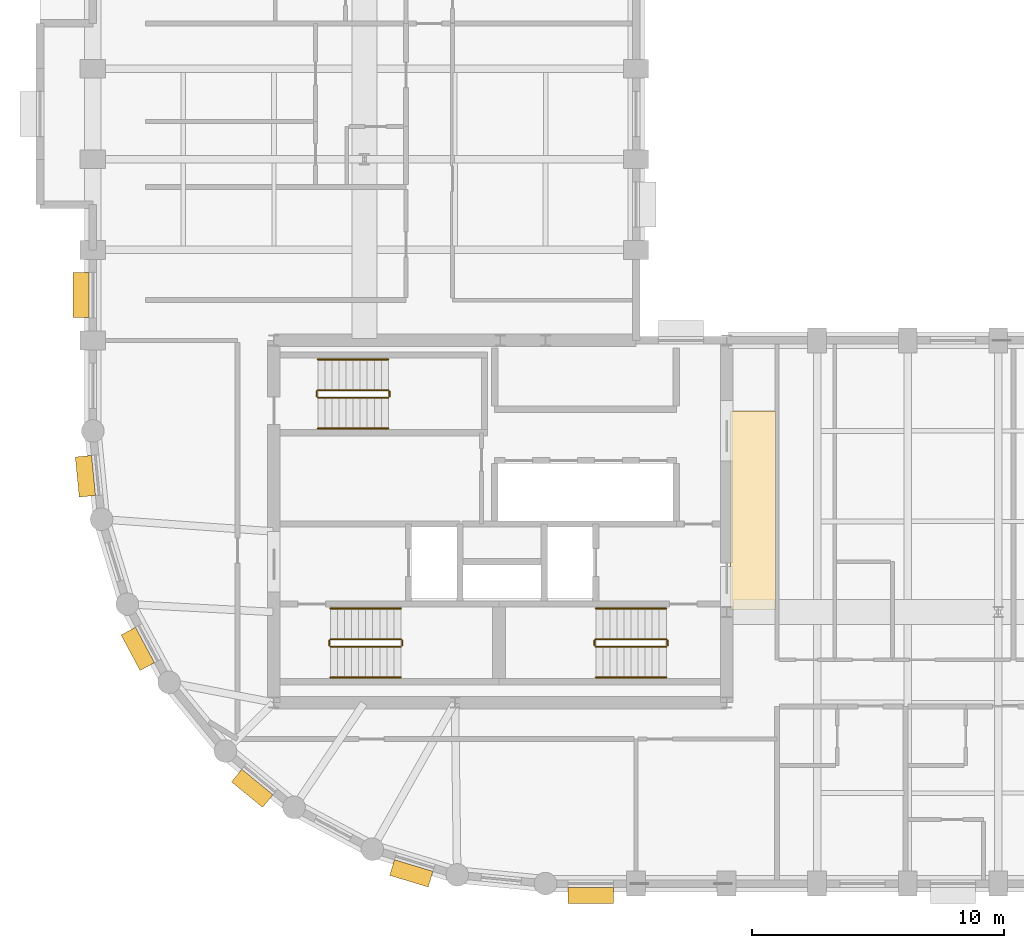
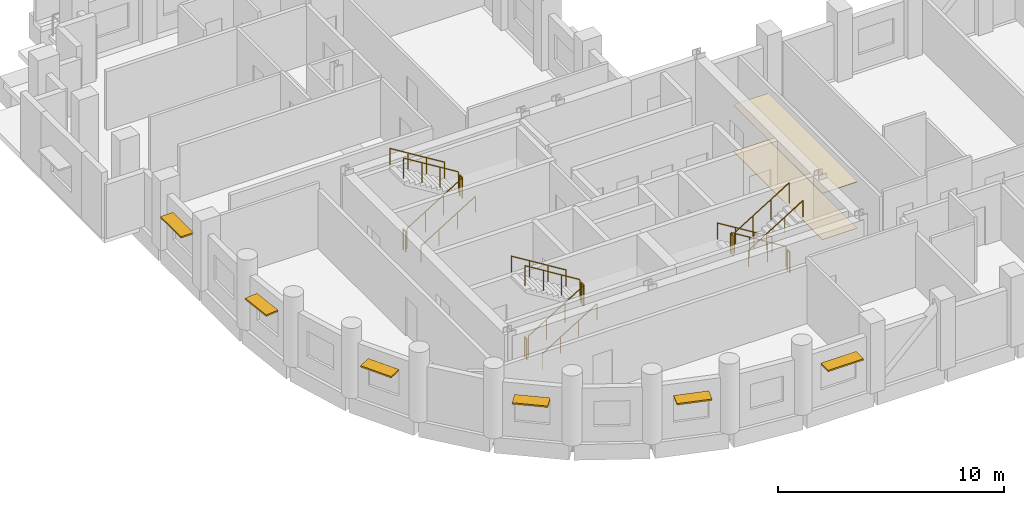
# One storey, part 9 of 10: 18 railings, 6 shading devices, 2 coverings.
"""IFC4 building model written with IfcOpenShell, lengths in metres."""

from ifc_helpers import new_model, si_unit, direction, frame, origin, origin_2d, place, context, subcontext, project, spatial, polyline, rectangle, circle, outline, extrude, material, layer, layer_set, type_object, element, save


model = new_model("IFC4")

# Units and contexts
model_context = context("Model", 3, precision=1e-05, world=origin(), true_north=direction((0.0, 1.0)))
body_context = subcontext(model_context, "Body", "Model", "MODEL_VIEW")
ifc_project = project(units=[si_unit("LENGTHUNIT", "METRE"), si_unit("AREAUNIT", "SQUARE_METRE"), si_unit("VOLUMEUNIT", "CUBIC_METRE"), si_unit("PLANEANGLEUNIT", "RADIAN"), si_unit("MASSUNIT", "GRAM", prefix="KILO")], contexts=[model_context])

# Site, building, storey
site_placement = place(None, origin())
site = spatial("IfcSite", under=ifc_project, at=site_placement, CompositionType="ELEMENT")
building_placement = place(site_placement, origin())
building = spatial("IfcBuilding", under=site, at=building_placement, Name="Solnavia Interchange Tower", CompositionType="ELEMENT")
storey_placement = place(building_placement, frame((0.0, 0.0, 127.60009765625)))
storey = spatial("IfcBuildingStorey", under=building, at=storey_placement, Name="L31", CompositionType="ELEMENT", Elevation=127.60009765625)

# Coverings
ifc_material_1 = material(Name="Perforated Mineral-Fibre & Gypsum Ceiling", Category="gypsum")
ifc_layer_1 = layer(ifc_material_1, 0.0400390625)
ifc_layer_set_1 = layer_set([ifc_layer_1], Name="Perforated Mineral-Fibre & Gypsum Ceiling")
covering_type_1 = type_object("IfcCoveringType", Name="Covering-Ceiling-Acoustic40", PredefinedType="CEILING", material=ifc_layer_set_1)
covering_1_placement = place(storey_placement, frame((0.0, 0.0, 2.5)))
element("IfcCovering", 1, at=covering_1_placement, inside=storey, type_object=covering_type_1, Name="CLG-L31-01 Circulation suspended acoustic ceiling", PredefinedType="CEILING", context=body_context, shape_type="SweptSolid", body=[
    extrude(outline(polyline([(32.550048828125, 14.5), (34.35009765625, 14.5), (34.35009765625, 22.39990234375), (32.550048828125, 22.39990234375), (32.550048828125, 14.5)])), origin(), (0.0, 0.0, 1.0), 0.039794921875),
])
ifc_material_2 = material(Name="Engineered European Oak Flooring", Category="wood")
ifc_layer_2 = layer(ifc_material_2, 0.02001953125)
ifc_layer_set_2 = layer_set([ifc_layer_2], Name="Engineered European Oak Flooring")
covering_type_2 = type_object("IfcCoveringType", Name="Covering-Flooring-Timber20", PredefinedType="FLOORING", material=ifc_layer_set_2)
covering_2_placement = place(storey_placement, origin())
element("IfcCovering", 2, at=covering_2_placement, inside=storey, type_object=covering_type_2, Name="FLR-L31-01 Circulation floor finish", PredefinedType="FLOORING", context=body_context, shape_type="SweptSolid", body=[
    extrude(outline(polyline([(32.550048828125, 14.5), (34.35009765625, 14.5), (34.35009765625, 22.39990234375), (32.550048828125, 22.39990234375), (32.550048828125, 14.5)])), origin(), (0.0, 0.0, 1.0), 0.02001953125),
])

# Railings
ifc_material_3 = material(Name="Painted Steel Balustrade", Category="steel")
railing_type_1 = type_object("IfcRailingType", Name="Railing-StairGuard-1100", PredefinedType="GUARDRAIL", material=ifc_material_3)
railing_1_placement = place(storey_placement, frame((16.64990234375, 13.02001953125, 0.172607421875)))
element("IfcRailing", 3, at=railing_1_placement, inside=storey, type_object=railing_type_1, Name="L31 ST-1 stair guard 1", PredefinedType="GUARDRAIL", context=body_context, shape_type="SweptSolid", body=[
    extrude(circle(Radius=0.02392578125, at=origin_2d()), frame((0.0, 0.0, 1.09619140625), z_axis=(0.851089632645, 0.0, 0.525020415988), x_axis=(0.0, 1.0, 0.0)), (0.0, 0.0, 1.0), 3.2900390625),
    extrude(circle(Radius=0.02099609375, at=origin_2d()), origin(), (0.0, 0.0, 1.0), 1.072021484375),
    extrude(circle(Radius=0.02099609375, at=origin_2d()), frame((0.933349609375, 0.0, 0.57568359375)), (0.0, 0.0, 1.0), 1.072021484375),
    extrude(circle(Radius=0.02099609375, at=origin_2d()), frame((1.86669921875, 0.0, 1.151611328125)), (0.0, 0.0, 1.0), 1.072021484375),
    extrude(circle(Radius=0.02099609375, at=origin_2d()), frame((2.800048828125, 0.0, 1.727294921875)), (0.0, 0.0, 1.0), 1.072021484375),
])
railing_2_placement = place(storey_placement, frame((19.5, 13.070068359375, 1.89990234375)))
element("IfcRailing", 4, at=railing_2_placement, inside=storey, type_object=railing_type_1, Name="L31 ST-1 stair guard 2", PredefinedType="GUARDRAIL", context=body_context, shape_type="SweptSolid", body=[
    extrude(circle(Radius=0.02392578125, at=origin_2d()), frame((0.0, 0.0, 1.09619140625), z_axis=(0.0, 1.0, 0.0), x_axis=(-1.0, 0.0, 0.0)), (0.0, 0.0, 1.0), 0.199951171875),
    extrude(circle(Radius=0.02099609375, at=origin_2d()), origin(), (0.0, 0.0, 1.0), 1.072021484375),
    extrude(circle(Radius=0.02099609375, at=origin_2d()), frame((0.0, 0.199951171875, 0.0)), (0.0, 0.0, 1.0), 1.072021484375),
])
railing_3_placement = place(storey_placement, frame((19.449951171875, 13.320068359375, 2.072509765625)))
element("IfcRailing", 5, at=railing_3_placement, inside=storey, type_object=railing_type_1, Name="L31 ST-1 stair guard 3", PredefinedType="GUARDRAIL", context=body_context, shape_type="SweptSolid", body=[
    extrude(circle(Radius=0.02392578125, at=origin_2d()), frame((0.0, 0.0, 1.09619140625), z_axis=(-0.851089632645, 0.0, 0.525020415988), x_axis=(0.0, -1.0, 0.0)), (0.0, 0.0, 1.0), 3.2900390625),
    extrude(circle(Radius=0.02099609375, at=origin_2d()), origin(), (0.0, 0.0, 1.0), 1.072021484375),
    extrude(circle(Radius=0.02099609375, at=origin_2d()), frame((-0.933349609375, 0.0, 0.57568359375)), (0.0, 0.0, 1.0), 1.072021484375),
    extrude(circle(Radius=0.02099609375, at=origin_2d()), frame((-1.86669921875, 0.0, 1.151611328125)), (0.0, 0.0, 1.0), 1.072021484375),
    extrude(circle(Radius=0.02099609375, at=origin_2d()), frame((-2.800048828125, 0.0, 1.727294921875)), (0.0, 0.0, 1.0), 1.072021484375),
])
railing_4_placement = place(storey_placement, frame((16.60009765625, 13.070068359375, 0.0)))
element("IfcRailing", 6, at=railing_4_placement, inside=storey, type_object=railing_type_1, Name="L31 ST-1 stair guard 4", PredefinedType="GUARDRAIL", context=body_context, shape_type="SweptSolid", body=[
    extrude(circle(Radius=0.02392578125, at=origin_2d()), frame((0.0, 0.0, 1.09619140625), z_axis=(0.0, 1.0, 0.0), x_axis=(-1.0, 0.0, 0.0)), (0.0, 0.0, 1.0), 0.199951171875),
    extrude(circle(Radius=0.02099609375, at=origin_2d()), origin(), (0.0, 0.0, 1.0), 1.072021484375),
    extrude(circle(Radius=0.02099609375, at=origin_2d()), frame((0.0, 0.199951171875, 0.0)), (0.0, 0.0, 1.0), 1.072021484375),
])
railing_5_placement = place(storey_placement, frame((30.0, 13.320068359375, 0.172607421875)))
element("IfcRailing", 7, at=railing_5_placement, inside=storey, type_object=railing_type_1, Name="L31 ST-2 stair guard 1", PredefinedType="GUARDRAIL", context=body_context, shape_type="SweptSolid", body=[
    extrude(circle(Radius=0.02392578125, at=origin_2d()), frame((0.0, 0.0, 1.09619140625), z_axis=(-0.851089632645, 0.0, 0.525020415988), x_axis=(0.0, -1.0, 0.0)), (0.0, 0.0, 1.0), 3.2900390625),
    extrude(circle(Radius=0.02099609375, at=origin_2d()), origin(), (0.0, 0.0, 1.0), 1.072021484375),
    extrude(circle(Radius=0.02099609375, at=origin_2d()), frame((-0.933349609375, 0.0, 0.57568359375)), (0.0, 0.0, 1.0), 1.072021484375),
    extrude(circle(Radius=0.02099609375, at=origin_2d()), frame((-1.86669921875, 0.0, 1.151611328125)), (0.0, 0.0, 1.0), 1.072021484375),
    extrude(circle(Radius=0.02099609375, at=origin_2d()), frame((-2.800048828125, 0.0, 1.727294921875)), (0.0, 0.0, 1.0), 1.072021484375),
])
railing_6_placement = place(storey_placement, frame((27.14990234375, 13.27001953125, 1.89990234375)))
element("IfcRailing", 8, at=railing_6_placement, inside=storey, type_object=railing_type_1, Name="L31 ST-2 stair guard 2", PredefinedType="GUARDRAIL", context=body_context, shape_type="SweptSolid", body=[
    extrude(circle(Radius=0.02392578125, at=origin_2d()), frame((0.0, 0.0, 1.09619140625), z_axis=(0.0, -1.0, 0.0), x_axis=(1.0, 0.0, 0.0)), (0.0, 0.0, 1.0), 0.199951171875),
    extrude(circle(Radius=0.02099609375, at=origin_2d()), origin(), (0.0, 0.0, 1.0), 1.072021484375),
    extrude(circle(Radius=0.02099609375, at=origin_2d()), frame((0.0, -0.199951171875, 0.0)), (0.0, 0.0, 1.0), 1.072021484375),
])
railing_7_placement = place(storey_placement, frame((27.199951171875, 13.02001953125, 2.072509765625)))
element("IfcRailing", 9, at=railing_7_placement, inside=storey, type_object=railing_type_1, Name="L31 ST-2 stair guard 3", PredefinedType="GUARDRAIL", context=body_context, shape_type="SweptSolid", body=[
    extrude(circle(Radius=0.02392578125, at=origin_2d()), frame((0.0, 0.0, 1.09619140625), z_axis=(0.851089632645, 0.0, 0.525020415988), x_axis=(0.0, 1.0, 0.0)), (0.0, 0.0, 1.0), 3.2900390625),
    extrude(circle(Radius=0.02099609375, at=origin_2d()), origin(), (0.0, 0.0, 1.0), 1.072021484375),
    extrude(circle(Radius=0.02099609375, at=origin_2d()), frame((0.933349609375, 0.0, 0.57568359375)), (0.0, 0.0, 1.0), 1.072021484375),
    extrude(circle(Radius=0.02099609375, at=origin_2d()), frame((1.86669921875, 0.0, 1.151611328125)), (0.0, 0.0, 1.0), 1.072021484375),
    extrude(circle(Radius=0.02099609375, at=origin_2d()), frame((2.800048828125, 0.0, 1.727294921875)), (0.0, 0.0, 1.0), 1.072021484375),
])
railing_8_placement = place(storey_placement, frame((30.050048828125, 13.27001953125, 0.0)))
element("IfcRailing", 10, at=railing_8_placement, inside=storey, type_object=railing_type_1, Name="L31 ST-2 stair guard 4", PredefinedType="GUARDRAIL", context=body_context, shape_type="SweptSolid", body=[
    extrude(circle(Radius=0.02392578125, at=origin_2d()), frame((0.0, 0.0, 1.09619140625), z_axis=(0.0, -1.0, 0.0), x_axis=(1.0, 0.0, 0.0)), (0.0, 0.0, 1.0), 0.199951171875),
    extrude(circle(Radius=0.02099609375, at=origin_2d()), origin(), (0.0, 0.0, 1.0), 1.072021484375),
    extrude(circle(Radius=0.02099609375, at=origin_2d()), frame((0.0, -0.199951171875, 0.0)), (0.0, 0.0, 1.0), 1.072021484375),
])
railing_9_placement = place(storey_placement, frame((16.14990234375, 22.919921875, 0.172607421875)))
element("IfcRailing", 11, at=railing_9_placement, inside=storey, type_object=railing_type_1, Name="L31 ST-3 stair guard 1", PredefinedType="GUARDRAIL", context=body_context, shape_type="SweptSolid", body=[
    extrude(circle(Radius=0.02392578125, at=origin_2d()), frame((0.0, 0.0, 1.09619140625), z_axis=(0.851089632645, 0.0, 0.525020415988), x_axis=(0.0, 1.0, 0.0)), (0.0, 0.0, 1.0), 3.2900390625),
    extrude(circle(Radius=0.02099609375, at=origin_2d()), origin(), (0.0, 0.0, 1.0), 1.072021484375),
    extrude(circle(Radius=0.02099609375, at=origin_2d()), frame((0.933349609375, 0.0, 0.57568359375)), (0.0, 0.0, 1.0), 1.072021484375),
    extrude(circle(Radius=0.02099609375, at=origin_2d()), frame((1.86669921875, 0.0, 1.151611328125)), (0.0, 0.0, 1.0), 1.072021484375),
    extrude(circle(Radius=0.02099609375, at=origin_2d()), frame((2.800048828125, 0.0, 1.727294921875)), (0.0, 0.0, 1.0), 1.072021484375),
])
railing_10_placement = place(storey_placement, frame((19.0, 22.969970703125, 1.89990234375)))
element("IfcRailing", 12, at=railing_10_placement, inside=storey, type_object=railing_type_1, Name="L31 ST-3 stair guard 2", PredefinedType="GUARDRAIL", context=body_context, shape_type="SweptSolid", body=[
    extrude(circle(Radius=0.02392578125, at=origin_2d()), frame((0.0, 0.0, 1.09619140625), z_axis=(0.0, 1.0, 0.0), x_axis=(-1.0, 0.0, 0.0)), (0.0, 0.0, 1.0), 0.199951171875),
    extrude(circle(Radius=0.02099609375, at=origin_2d()), origin(), (0.0, 0.0, 1.0), 1.072021484375),
    extrude(circle(Radius=0.02099609375, at=origin_2d()), frame((0.0, 0.199951171875, 0.0)), (0.0, 0.0, 1.0), 1.072021484375),
])
railing_11_placement = place(storey_placement, frame((18.949951171875, 23.219970703125, 2.072509765625)))
element("IfcRailing", 13, at=railing_11_placement, inside=storey, type_object=railing_type_1, Name="L31 ST-3 stair guard 3", PredefinedType="GUARDRAIL", context=body_context, shape_type="SweptSolid", body=[
    extrude(circle(Radius=0.02392578125, at=origin_2d()), frame((0.0, 0.0, 1.09619140625), z_axis=(-0.851089632645, 0.0, 0.525020415988), x_axis=(0.0, -1.0, 0.0)), (0.0, 0.0, 1.0), 3.2900390625),
    extrude(circle(Radius=0.02099609375, at=origin_2d()), origin(), (0.0, 0.0, 1.0), 1.072021484375),
    extrude(circle(Radius=0.02099609375, at=origin_2d()), frame((-0.933349609375, 0.0, 0.57568359375)), (0.0, 0.0, 1.0), 1.072021484375),
    extrude(circle(Radius=0.02099609375, at=origin_2d()), frame((-1.86669921875, 0.0, 1.151611328125)), (0.0, 0.0, 1.0), 1.072021484375),
    extrude(circle(Radius=0.02099609375, at=origin_2d()), frame((-2.800048828125, 0.0, 1.727294921875)), (0.0, 0.0, 1.0), 1.072021484375),
])
railing_12_placement = place(storey_placement, frame((16.10009765625, 22.969970703125, 0.0)))
element("IfcRailing", 14, at=railing_12_placement, inside=storey, type_object=railing_type_1, Name="L31 ST-3 stair guard 4", PredefinedType="GUARDRAIL", context=body_context, shape_type="SweptSolid", body=[
    extrude(circle(Radius=0.02392578125, at=origin_2d()), frame((0.0, 0.0, 1.09619140625), z_axis=(0.0, 1.0, 0.0), x_axis=(-1.0, 0.0, 0.0)), (0.0, 0.0, 1.0), 0.199951171875),
    extrude(circle(Radius=0.02099609375, at=origin_2d()), origin(), (0.0, 0.0, 1.0), 1.072021484375),
    extrude(circle(Radius=0.02099609375, at=origin_2d()), frame((0.0, 0.199951171875, 0.0)), (0.0, 0.0, 1.0), 1.072021484375),
])
ifc_material_4 = material(Name="Brushed Stainless Steel", Category="steel")
railing_type_2 = type_object("IfcRailingType", Name="Railing-StairHandrail-900", PredefinedType="HANDRAIL", material=ifc_material_4)
railing_13_placement = place(storey_placement, frame((16.64990234375, 11.800048828125, 0.172607421875)))
element("IfcRailing", 15, at=railing_13_placement, inside=storey, type_object=railing_type_2, Name="L31 ST-1 stair handrail 1", PredefinedType="HANDRAIL", context=body_context, shape_type="SweptSolid", body=[
    extrude(circle(Radius=0.02392578125, at=origin_2d()), frame((0.0, 0.0, 0.8759765625), z_axis=(0.851089632645, 0.0, 0.525020415988), x_axis=(0.0, 1.0, 0.0)), (0.0, 0.0, 1.0), 3.2900390625),
    extrude(circle(Radius=0.02099609375, at=origin_2d()), origin(), (0.0, 0.0, 1.0), 0.851806640625),
    extrude(circle(Radius=0.02099609375, at=origin_2d()), frame((0.933349609375, 0.0, 0.57568359375)), (0.0, 0.0, 1.0), 0.851806640625),
    extrude(circle(Radius=0.02099609375, at=origin_2d()), frame((1.86669921875, 0.0, 1.151611328125)), (0.0, 0.0, 1.0), 0.851806640625),
    extrude(circle(Radius=0.02099609375, at=origin_2d()), frame((2.800048828125, 0.0, 1.727294921875)), (0.0, 0.0, 1.0), 0.851806640625),
])
for number, where, name in (
    (16, (19.449951171875, 14.5400390625, 2.072509765625), "L31 ST-1 stair handrail 2"),
    (17, (30.0, 14.5400390625, 0.172607421875), "L31 ST-2 stair handrail 1"),
):
    element("IfcRailing", number, at=place(storey_placement, frame(where)), inside=storey, type_object=railing_type_2, Name=name, PredefinedType="HANDRAIL", context=body_context, shape_type="SweptSolid", body=[
        extrude(circle(Radius=0.02392578125, at=origin_2d()), frame((0.0, 0.0, 0.8759765625), z_axis=(-0.851089632645, 0.0, 0.525020415988), x_axis=(0.0, -1.0, 0.0)), (0.0, 0.0, 1.0), 3.2900390625),
        extrude(circle(Radius=0.02099609375, at=origin_2d()), origin(), (0.0, 0.0, 1.0), 0.851806640625),
        extrude(circle(Radius=0.02099609375, at=origin_2d()), frame((-0.933349609375, 0.0, 0.57568359375)), (0.0, 0.0, 1.0), 0.851806640625),
        extrude(circle(Radius=0.02099609375, at=origin_2d()), frame((-1.86669921875, 0.0, 1.151611328125)), (0.0, 0.0, 1.0), 0.851806640625),
        extrude(circle(Radius=0.02099609375, at=origin_2d()), frame((-2.800048828125, 0.0, 1.727294921875)), (0.0, 0.0, 1.0), 0.851806640625),
    ])
for number, where, name in (
    (18, (27.199951171875, 11.800048828125, 2.072509765625), "L31 ST-2 stair handrail 2"),
    (19, (16.14990234375, 21.699951171875, 0.172607421875), "L31 ST-3 stair handrail 1"),
):
    element("IfcRailing", number, at=place(storey_placement, frame(where)), inside=storey, type_object=railing_type_2, Name=name, PredefinedType="HANDRAIL", context=body_context, shape_type="SweptSolid", body=[
        extrude(circle(Radius=0.02392578125, at=origin_2d()), frame((0.0, 0.0, 0.8759765625), z_axis=(0.851089632645, 0.0, 0.525020415988), x_axis=(0.0, 1.0, 0.0)), (0.0, 0.0, 1.0), 3.2900390625),
        extrude(circle(Radius=0.02099609375, at=origin_2d()), origin(), (0.0, 0.0, 1.0), 0.851806640625),
        extrude(circle(Radius=0.02099609375, at=origin_2d()), frame((0.933349609375, 0.0, 0.57568359375)), (0.0, 0.0, 1.0), 0.851806640625),
        extrude(circle(Radius=0.02099609375, at=origin_2d()), frame((1.86669921875, 0.0, 1.151611328125)), (0.0, 0.0, 1.0), 0.851806640625),
        extrude(circle(Radius=0.02099609375, at=origin_2d()), frame((2.800048828125, 0.0, 1.727294921875)), (0.0, 0.0, 1.0), 0.851806640625),
    ])
railing_14_placement = place(storey_placement, frame((18.949951171875, 24.43994140625, 2.072509765625)))
element("IfcRailing", 20, at=railing_14_placement, inside=storey, type_object=railing_type_2, Name="L31 ST-3 stair handrail 2", PredefinedType="HANDRAIL", context=body_context, shape_type="SweptSolid", body=[
    extrude(circle(Radius=0.02392578125, at=origin_2d()), frame((0.0, 0.0, 0.8759765625), z_axis=(-0.851089632645, 0.0, 0.525020415988), x_axis=(0.0, -1.0, 0.0)), (0.0, 0.0, 1.0), 3.2900390625),
    extrude(circle(Radius=0.02099609375, at=origin_2d()), origin(), (0.0, 0.0, 1.0), 0.851806640625),
    extrude(circle(Radius=0.02099609375, at=origin_2d()), frame((-0.933349609375, 0.0, 0.57568359375)), (0.0, 0.0, 1.0), 0.851806640625),
    extrude(circle(Radius=0.02099609375, at=origin_2d()), frame((-1.86669921875, 0.0, 1.151611328125)), (0.0, 0.0, 1.0), 0.851806640625),
    extrude(circle(Radius=0.02099609375, at=origin_2d()), frame((-2.800048828125, 0.0, 1.727294921875)), (0.0, 0.0, 1.0), 0.851806640625),
])

# Shading devices
ifc_material_5 = material(Name="Anodised Aluminium Sunshade", Category="aluminium")
ifc_layer_3 = layer(ifc_material_5, 0.080078125)
ifc_layer_set_3 = layer_set([ifc_layer_3], Name="Anodised Aluminium Sunshade")
shading_device_type = type_object("IfcShadingDeviceType", Name="Sunshade-Band-650", PredefinedType="SHUTTER", material=ifc_layer_set_3)
for number, where, z_axis, x_axis, name in (
    (21, (27.0, 3.1298828125, 2.219970703125), (0.0, 0.0, 1.0), (-1.0, 0.0, 0.0), "SHD-L31-01 Horizontal sunshade band"),
    (22, (6.72998046875, 27.0, 2.219970703125), (0.0, 0.0, 1.0), (0.0, 1.0, 0.0), "SHD-L31-49 Horizontal sunshade band"),
):
    element("IfcShadingDevice", number, at=place(storey_placement, frame(where, z_axis=z_axis, x_axis=x_axis)), inside=storey, type_object=shading_device_type, Name=name, PredefinedType="SHUTTER", context=body_context, shape_type="SweptSolid", body=[
        extrude(rectangle(XDim=1.800048828125, YDim=0.64990234375, at=origin_2d()), origin(), (0.0, 0.0, 1.0), 0.080078125),
    ])
for number, where, z_axis, x_axis, name in (
    (23, (6.9052734375, 19.79833984375, 2.219970703125), (0.0, 0.0, 1.0), (-0.098103986207, 0.995176169274, 0.0), "SHD-L31-51 Horizontal sunshade band"),
    (24, (8.98779296875, 12.93408203125, 2.219970703125), (0.0, 0.0, 1.0), (-0.47147369718, 0.881880123865, 0.0), "SHD-L31-53 Horizontal sunshade band"),
    (25, (13.5380859375, 7.389404296875, 2.219970703125), (0.0, 0.0, 1.0), (-0.773176510644, 0.634190888762, 0.0), "SHD-L31-55 Horizontal sunshade band"),
    (26, (19.863525390625, 4.00830078125, 2.219970703125), (0.0, 0.0, 1.0), (-0.956965664205, 0.290201167351, 0.0), "SHD-L31-57 Horizontal sunshade band"),
):
    element("IfcShadingDevice", number, at=place(storey_placement, frame(where, z_axis=z_axis, x_axis=x_axis)), inside=storey, type_object=shading_device_type, Name=name, PredefinedType="SHUTTER", context=body_context, shape_type="SweptSolid", body=[
        extrude(rectangle(XDim=1.60009765625, YDim=0.64990234375, at=origin_2d()), origin(), (0.0, 0.0, 1.0), 0.080078125),
    ])

save(model, "model.ifc")
